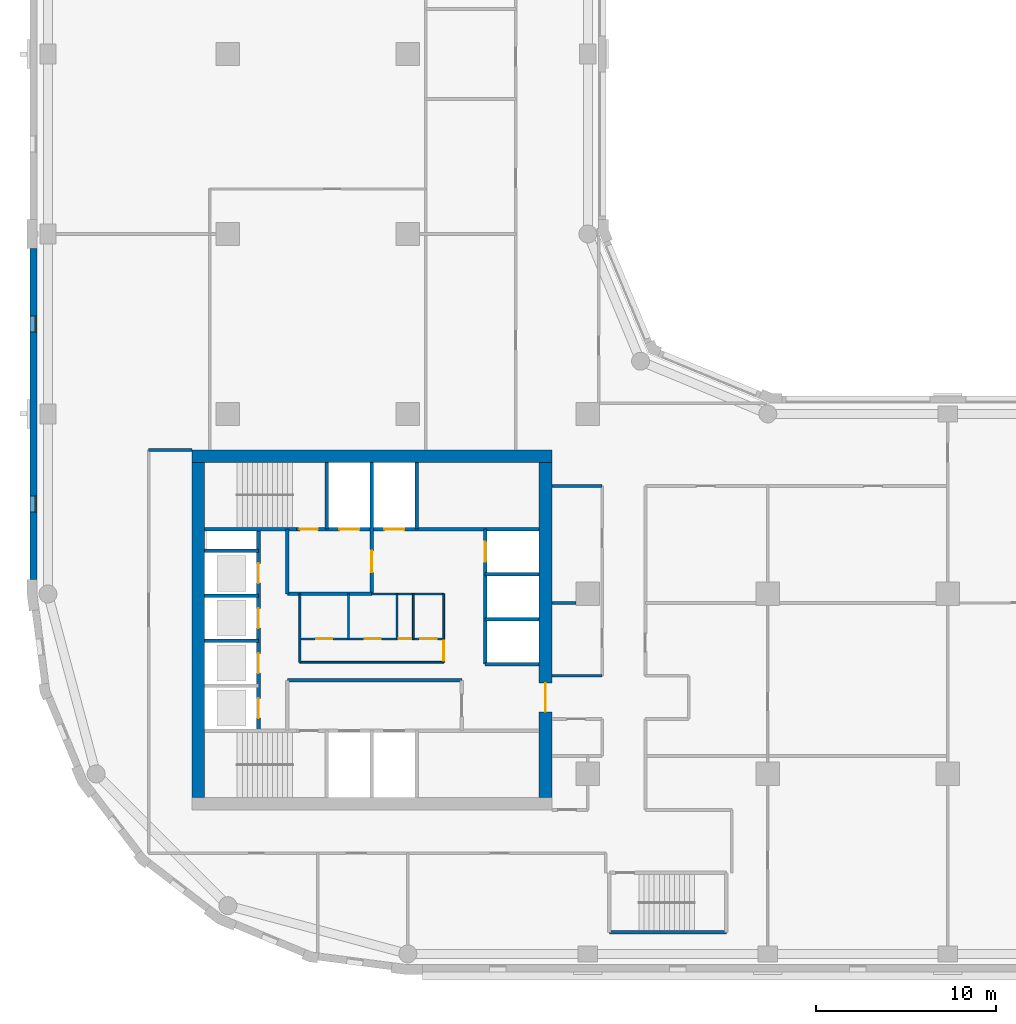
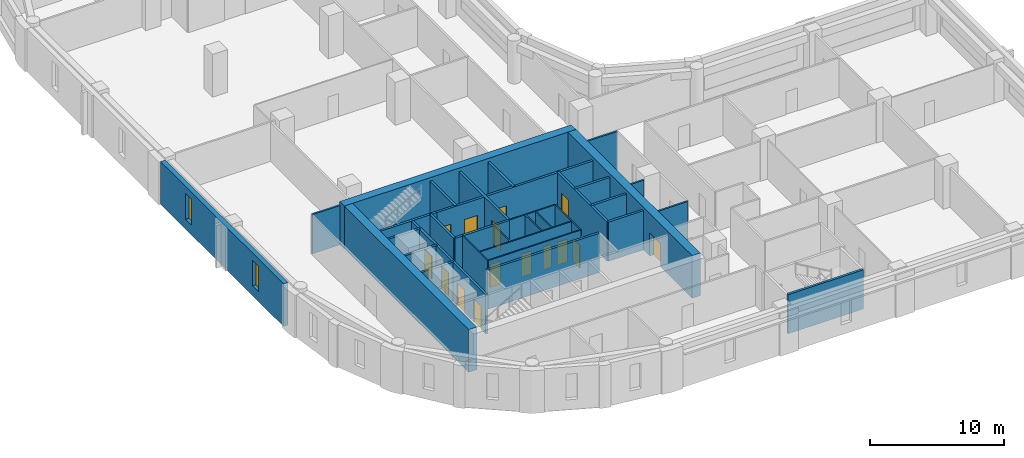
# One storey, part 3 of 9: 33 walls, 15 doors, 2 windows, 17 openings.
"""IFC4 building model written with IfcOpenShell, lengths in metres."""

from ifc_helpers import new_model, si_unit, direction, frame, frame_2d, origin, place, context, subcontext, project, spatial, rectangle, extrude, material, layer, layer_set, type_object, element, fill, save


model = new_model("IFC4")

# Units and contexts
model_context = context("Model", 3, precision=1e-05, world=origin(), true_north=direction((0.0, 1.0)))
body_context = subcontext(model_context, "Body", "Model", "MODEL_VIEW")
ifc_project = project(units=[si_unit("LENGTHUNIT", "METRE"), si_unit("AREAUNIT", "SQUARE_METRE"), si_unit("VOLUMEUNIT", "CUBIC_METRE"), si_unit("PLANEANGLEUNIT", "RADIAN"), si_unit("MASSUNIT", "GRAM", prefix="KILO")], contexts=[model_context])

# Site, building, storey
site_placement = place(None, origin())
site = spatial("IfcSite", under=ifc_project, at=site_placement, CompositionType="ELEMENT")
building_placement = place(site_placement, origin())
building = spatial("IfcBuilding", under=site, at=building_placement, Name="Qaws Garden Tower", CompositionType="ELEMENT")
storey_placement = place(building_placement, frame((0.0, 0.0, 155.10009765625)))
storey = spatial("IfcBuildingStorey", under=building, at=storey_placement, Name="L37", CompositionType="ELEMENT", Elevation=155.10009765625)

# Wall, openings, windows
ifc_material_1 = material(Name="Clay facing brick masonry", Category="masonry")
ifc_layer_1 = layer(ifc_material_1, 0.39990234375)
ifc_layer_set_1 = layer_set([ifc_layer_1], Name="Clay facing brick masonry")
wall_type_1 = type_object("IfcWallType", Name="Brick infill wall 400", PredefinedType="SOLIDWALL", material=ifc_layer_set_1)
wall_1_placement = place(storey_placement, frame((-0.800048828125, 39.199951171875, 0.0), z_axis=(0.0, 0.0, 1.0), x_axis=(0.0, -1.0, 0.0)))
wall_1 = element("IfcWall", 1, at=wall_1_placement, inside=storey, type_object=wall_type_1, Name="E-L37-infill-23", PredefinedType="SOLIDWALL", context=body_context, shape_type="SweptSolid", body=[
    extrude(rectangle(XDim=18.39990234375, YDim=0.39990234375, at=frame_2d((9.199951171875, 0.0))), origin(), (0.0, 0.0, 1.0), 3.89990234375),
])
opening_1_placement = place(wall_1_placement, frame((3.75, 0.0, 0.89990234375)))
opening_1 = element("IfcOpeningElement", 2, at=opening_1_placement, cuts=wall_1, Name="Opening W09", PredefinedType="OPENING", context=body_context, shape_type="SweptSolid", body=[
    extrude(rectangle(XDim=0.89990234375, YDim=2.35009765625, at=frame_2d((0.449951171875, 1.175048828125))), frame((0.0, 0.2099609375, 0.0), z_axis=(0.0, -1.0, 0.0), x_axis=(1.0, 0.0, 0.0)), (0.0, 0.0, 1.0), 0.419921875),
])
opening_2_placement = place(wall_1_placement, frame((13.75, 0.0, 0.89990234375)))
opening_2 = element("IfcOpeningElement", 3, at=opening_2_placement, cuts=wall_1, Name="Opening W09", PredefinedType="OPENING", context=body_context, shape_type="SweptSolid", body=[
    extrude(rectangle(XDim=0.89990234375, YDim=2.35009765625, at=frame_2d((0.449951171875, 1.175048828125))), frame((0.0, 0.2099609375, 0.0), z_axis=(0.0, -1.0, 0.0), x_axis=(1.0, 0.0, 0.0)), (0.0, 0.0, 1.0), 0.419921875),
])
ifc_material_2 = material(Name="Aluminium framed window, clear glazing", Category="aluminium")
window_type = type_object("IfcWindowType", Name="Slit window 900 x 2350", PartitioningType="SINGLE_PANEL", PredefinedType="WINDOW", material=ifc_material_2)
window_1_placement = place(opening_1_placement, origin())
window_1 = element("IfcWindow", 4, at=window_1_placement, inside=storey, type_object=window_type, Name="E-L37-window-23-0", OverallHeight=2.35009765625, OverallWidth=0.89990234375, PartitioningType="SINGLE_PANEL", PredefinedType="WINDOW", context=body_context, shape_type="SweptSolid", body=[
    extrude(rectangle(XDim=0.89990234375, YDim=2.35009765625, at=frame_2d((0.449951171875, 1.175048828125))), frame((0.0, 0.159912109375, 0.0), z_axis=(0.0, -1.0, 0.0), x_axis=(1.0, 0.0, 0.0)), (0.0, 0.0, 1.0), 0.06005859375),
])
fill(opening_1, window_1)
window_2_placement = place(opening_2_placement, origin())
window_2 = element("IfcWindow", 5, at=window_2_placement, inside=storey, type_object=window_type, Name="E-L37-window-24-0", OverallHeight=2.35009765625, OverallWidth=0.89990234375, PartitioningType="SINGLE_PANEL", PredefinedType="WINDOW", context=body_context, shape_type="SweptSolid", body=[
    extrude(rectangle(XDim=0.89990234375, YDim=2.35009765625, at=frame_2d((0.449951171875, 1.175048828125))), frame((0.0, 0.159912109375, 0.0), z_axis=(0.0, -1.0, 0.0), x_axis=(1.0, 0.0, 0.0)), (0.0, 0.0, 1.0), 0.06005859375),
])
fill(opening_2, window_2)

# Wall
ifc_material_3 = material(Name="Plasterboard")
ifc_layer_2 = layer(ifc_material_3, 0.10009765625)
ifc_layer_set_2 = layer_set([ifc_layer_2], Name="Plasterboard")
wall_type_2 = type_object("IfcWallType", Name="Core partition 100", PredefinedType="PARTITIONING", material=ifc_layer_set_2)
wall_2_placement = place(storey_placement, frame((14.0, 16.199951171875, 0.0), z_axis=(0.0, 0.0, 1.0), x_axis=(1.0, 0.0, 0.0)))
element("IfcWall", 6, at=wall_2_placement, inside=storey, type_object=wall_type_2, Name="Core partition", PredefinedType="PARTITIONING", context=body_context, shape_type="SweptSolid", body=[
    extrude(rectangle(XDim=8.0, YDim=0.10009765625, at=frame_2d((4.0, 0.0))), origin(), (0.0, 0.0, 1.0), 3.579833984375),
])

# Wall, openings, doors
wall_3_placement = place(storey_placement, frame((14.0, 17.5, 0.0), z_axis=(0.0, 0.0, 1.0), x_axis=(1.0, 0.0, 0.0)))
wall_3 = element("IfcWall", 7, at=wall_3_placement, inside=storey, type_object=wall_type_2, Name="Core partition", PredefinedType="PARTITIONING", context=body_context, shape_type="SweptSolid", body=[
    extrude(rectangle(XDim=8.0, YDim=0.10009765625, at=frame_2d((4.0, 0.0))), origin(), (0.0, 0.0, 1.0), 3.579833984375),
])
opening_3_placement = place(wall_3_placement, frame((0.89990234375, 0.0, 0.0)))
opening_3 = element("IfcOpeningElement", 8, at=opening_3_placement, cuts=wall_3, Name="Opening WD18", PredefinedType="OPENING", context=body_context, shape_type="SweptSolid", body=[
    extrude(rectangle(XDim=0.89990234375, YDim=2.10009765625, at=frame_2d((0.449951171875, 1.050048828125))), frame((0.0, 0.06005859375, 0.0), z_axis=(0.0, -1.0, 0.0), x_axis=(1.0, 0.0, 0.0)), (0.0, 0.0, 1.0), 0.1201171875),
])
opening_4_placement = place(wall_3_placement, frame((3.60009765625, 0.0, 0.0)))
opening_4 = element("IfcOpeningElement", 9, at=opening_4_placement, cuts=wall_3, Name="Opening WD19", PredefinedType="OPENING", context=body_context, shape_type="SweptSolid", body=[
    extrude(rectangle(XDim=0.89990234375, YDim=2.10009765625, at=frame_2d((0.449951171875, 1.050048828125))), frame((0.0, 0.06005859375, 0.0), z_axis=(0.0, -1.0, 0.0), x_axis=(1.0, 0.0, 0.0)), (0.0, 0.0, 1.0), 0.1201171875),
])
opening_5_placement = place(wall_3_placement, frame((5.5, 0.0, 0.0)))
opening_5 = element("IfcOpeningElement", 10, at=opening_5_placement, cuts=wall_3, Name="Opening XD20", PredefinedType="OPENING", context=body_context, shape_type="SweptSolid", body=[
    extrude(rectangle(XDim=0.699951171875, YDim=2.10009765625, at=frame_2d((0.35009765625, 1.050048828125))), frame((0.0, 0.06005859375, 0.0), z_axis=(0.0, -1.0, 0.0), x_axis=(1.0, 0.0, 0.0)), (0.0, 0.0, 1.0), 0.1201171875),
])
opening_6_placement = place(wall_3_placement, frame((6.699951171875, 0.0, 0.0)))
opening_6 = element("IfcOpeningElement", 11, at=opening_6_placement, cuts=wall_3, Name="Opening WD21", PredefinedType="OPENING", context=body_context, shape_type="SweptSolid", body=[
    extrude(rectangle(XDim=0.89990234375, YDim=2.10009765625, at=frame_2d((0.449951171875, 1.050048828125))), frame((0.0, 0.06005859375, 0.0), z_axis=(0.0, -1.0, 0.0), x_axis=(1.0, 0.0, 0.0)), (0.0, 0.0, 1.0), 0.1201171875),
])
ifc_material_4 = material(Name="Timber", Category="wood")
door_type_1 = type_object("IfcDoorType", Name="Store door 700x2100", OperationType="SINGLE_SWING_LEFT", PredefinedType="DOOR", material=ifc_material_4)
door_1_placement = place(opening_5_placement, origin())
door_1 = element("IfcDoor", 12, at=door_1_placement, inside=storey, type_object=door_type_1, Name="Cleaner's store door", OperationType="SINGLE_SWING_RIGHT", OverallHeight=2.10009765625, OverallWidth=0.699951171875, PredefinedType="DOOR", context=body_context, shape_type="SweptSolid", body=[
    extrude(rectangle(XDim=0.699951171875, YDim=2.10009765625, at=frame_2d((0.35009765625, 1.050048828125))), frame((0.0, 0.02490234375, 0.0), z_axis=(0.0, -1.0, 0.0), x_axis=(1.0, 0.0, 0.0)), (0.0, 0.0, 1.0), 0.050048828125),
])
fill(opening_5, door_1)
ifc_material_5 = material(Name="Timber", Category="wood")
door_type_2 = type_object("IfcDoorType", Name="WC door 900x2100", OperationType="SINGLE_SWING_LEFT", PredefinedType="DOOR", material=ifc_material_5)
door_2_placement = place(opening_3_placement, origin())
door_2 = element("IfcDoor", 13, at=door_2_placement, inside=storey, type_object=door_type_2, Name="Women's WC door", OperationType="SINGLE_SWING_RIGHT", OverallHeight=2.10009765625, OverallWidth=0.89990234375, PredefinedType="DOOR", context=body_context, shape_type="SweptSolid", body=[
    extrude(rectangle(XDim=0.89990234375, YDim=2.10009765625, at=frame_2d((0.449951171875, 1.050048828125))), frame((0.0, 0.02490234375, 0.0), z_axis=(0.0, -1.0, 0.0), x_axis=(1.0, 0.0, 0.0)), (0.0, 0.0, 1.0), 0.050048828125),
])
fill(opening_3, door_2)
door_3_placement = place(opening_4_placement, origin())
door_3 = element("IfcDoor", 14, at=door_3_placement, inside=storey, type_object=door_type_2, Name="Men's WC door", OperationType="SINGLE_SWING_RIGHT", OverallHeight=2.10009765625, OverallWidth=0.89990234375, PredefinedType="DOOR", context=body_context, shape_type="SweptSolid", body=[
    extrude(rectangle(XDim=0.89990234375, YDim=2.10009765625, at=frame_2d((0.449951171875, 1.050048828125))), frame((0.0, 0.02490234375, 0.0), z_axis=(0.0, -1.0, 0.0), x_axis=(1.0, 0.0, 0.0)), (0.0, 0.0, 1.0), 0.050048828125),
])
fill(opening_4, door_3)
door_4_placement = place(opening_6_placement, origin())
door_4 = element("IfcDoor", 15, at=door_4_placement, inside=storey, type_object=door_type_2, Name="Accessible WC door", OperationType="SINGLE_SWING_RIGHT", OverallHeight=2.10009765625, OverallWidth=0.89990234375, PredefinedType="DOOR", context=body_context, shape_type="SweptSolid", body=[
    extrude(rectangle(XDim=0.89990234375, YDim=2.10009765625, at=frame_2d((0.449951171875, 1.050048828125))), frame((0.0, 0.02490234375, 0.0), z_axis=(0.0, -1.0, 0.0), x_axis=(1.0, 0.0, 0.0)), (0.0, 0.0, 1.0), 0.050048828125),
])
fill(opening_6, door_4)

# Walls
wall_4_placement = place(storey_placement, frame((18.0, 20.0, 0.0), z_axis=(0.0, 0.0, 1.0), x_axis=(1.0, 0.0, 0.0)))
element("IfcWall", 16, at=wall_4_placement, inside=storey, type_object=wall_type_2, Name="Core partition", PredefinedType="PARTITIONING", context=body_context, shape_type="SweptSolid", body=[
    extrude(rectangle(XDim=4.0, YDim=0.10009765625, at=frame_2d((2.0, 0.0))), origin(), (0.0, 0.0, 1.0), 3.579833984375),
])
wall_5_placement = place(storey_placement, frame((14.0, 16.199951171875, 0.0), z_axis=(0.0, 0.0, 1.0), x_axis=(0.0, 1.0, 0.0)))
element("IfcWall", 17, at=wall_5_placement, inside=storey, type_object=wall_type_2, Name="Core partition", PredefinedType="PARTITIONING", context=body_context, shape_type="SweptSolid", body=[
    extrude(rectangle(XDim=3.800048828125, YDim=0.10009765625, at=frame_2d((1.89990234375, 0.0))), origin(), (0.0, 0.0, 1.0), 3.579833984375),
])
for number, where, z_axis, x_axis, name in (
    (18, (16.699951171875, 17.5, 0.0), (0.0, 0.0, 1.0), (0.0, 1.0, 0.0), "Core partition"),
    (19, (19.39990234375, 17.5, 0.0), (0.0, 0.0, 1.0), (0.0, 1.0, 0.0), "Core partition"),
    (20, (20.300048828125, 17.5, 0.0), (0.0, 0.0, 1.0), (0.0, 1.0, 0.0), "Core partition"),
):
    element("IfcWall", number, at=place(storey_placement, frame(where, z_axis=z_axis, x_axis=x_axis)), inside=storey, type_object=wall_type_2, Name=name, PredefinedType="PARTITIONING", context=body_context, shape_type="SweptSolid", body=[
        extrude(rectangle(XDim=2.5, YDim=0.10009765625, at=frame_2d((1.25, 0.0))), origin(), (0.0, 0.0, 1.0), 3.579833984375),
    ])

# Wall, opening, door
wall_6_placement = place(storey_placement, frame((22.0, 16.199951171875, 0.0), z_axis=(0.0, 0.0, 1.0), x_axis=(0.0, 1.0, 0.0)))
wall_6 = element("IfcWall", 21, at=wall_6_placement, inside=storey, type_object=wall_type_2, Name="Core partition", PredefinedType="PARTITIONING", context=body_context, shape_type="SweptSolid", body=[
    extrude(rectangle(XDim=3.800048828125, YDim=0.10009765625, at=frame_2d((1.89990234375, 0.0))), origin(), (0.0, 0.0, 1.0), 3.579833984375),
])
opening_7_placement = place(wall_6_placement, frame((0.10009765625, 0.0, 0.0)))
opening_7 = element("IfcOpeningElement", 22, at=opening_7_placement, cuts=wall_6, Name="Opening WL17", PredefinedType="OPENING", context=body_context, shape_type="SweptSolid", body=[
    extrude(rectangle(XDim=1.10009765625, YDim=2.10009765625, at=frame_2d((0.550048828125, 1.050048828125))), frame((0.0, 0.06005859375, 0.0), z_axis=(0.0, -1.0, 0.0), x_axis=(1.0, 0.0, 0.0)), (0.0, 0.0, 1.0), 0.1201171875),
])
ifc_material_6 = material(Name="Timber", Category="wood")
door_type_3 = type_object("IfcDoorType", Name="WC lobby door 1100x2100", OperationType="SINGLE_SWING_LEFT", PredefinedType="DOOR", material=ifc_material_6)
door_5_placement = place(opening_7_placement, origin())
door_5 = element("IfcDoor", 23, at=door_5_placement, inside=storey, type_object=door_type_3, Name="WC lobby door", OperationType="SINGLE_SWING_RIGHT", OverallHeight=2.10009765625, OverallWidth=1.10009765625, PredefinedType="DOOR", context=body_context, shape_type="SweptSolid", body=[
    extrude(rectangle(XDim=1.10009765625, YDim=2.10009765625, at=frame_2d((0.550048828125, 1.050048828125))), frame((0.0, 0.02490234375, 0.0), z_axis=(0.0, -1.0, 0.0), x_axis=(1.0, 0.0, 0.0)), (0.0, 0.0, 1.0), 0.050048828125),
])
fill(opening_7, door_5)

# Walls
ifc_material_7 = material(Name="Concrete C70", Category="concrete")
ifc_layer_3 = layer(ifc_material_7, 0.199951171875)
ifc_layer_set_3 = layer_set([ifc_layer_3], Name="Concrete C70")
wall_type_3 = type_object("IfcWallType", Name="Core shaft wall 200 C70", PredefinedType="SHEAR", material=ifc_layer_set_3)
wall_7_placement = place(storey_placement, frame((31.199951171875, 1.199951171875, 0.0), z_axis=(0.0, 0.0, 1.0), x_axis=(1.0, 0.0, 0.0)))
element("IfcWall", 24, at=wall_7_placement, inside=storey, type_object=wall_type_3, Name="Shaft wall", PredefinedType="SHEAR", context=body_context, shape_type="SweptSolid", body=[
    extrude(rectangle(XDim=6.5, YDim=0.199951171875, at=frame_2d((3.25, 0.0))), origin(), (0.0, 0.0, 1.0), 3.579833984375),
])
wall_8_placement = place(storey_placement, frame((13.300048828125, 15.199951171875, 0.0), z_axis=(0.0, 0.0, 1.0), x_axis=(1.0, 0.0, 0.0)))
element("IfcWall", 25, at=wall_8_placement, inside=storey, type_object=wall_type_3, Name="Shaft wall", PredefinedType="SHEAR", context=body_context, shape_type="SweptSolid", body=[
    extrude(rectangle(XDim=9.699951171875, YDim=0.199951171875, at=frame_2d((4.85009765625, 0.0))), origin(), (0.0, 0.0, 1.0), 3.579833984375),
])
for number, where, z_axis, x_axis, name in (
    (26, (24.300048828125, 16.10009765625, 0.0), (0.0, 0.0, 1.0), (1.0, 0.0, 0.0), "Shaft wall"),
    (27, (8.699951171875, 17.39990234375, 0.0), (0.0, 0.0, 1.0), (1.0, 0.0, 0.0), "Shaft wall"),
    (28, (24.300048828125, 18.60009765625, 0.0), (0.0, 0.0, 1.0), (1.0, 0.0, 0.0), "Shaft wall"),
    (29, (8.699951171875, 19.89990234375, 0.0), (0.0, 0.0, 1.0), (1.0, 0.0, 0.0), "Shaft wall"),
):
    element("IfcWall", number, at=place(storey_placement, frame(where, z_axis=z_axis, x_axis=x_axis)), inside=storey, type_object=wall_type_3, Name=name, PredefinedType="SHEAR", context=body_context, shape_type="SweptSolid", body=[
        extrude(rectangle(XDim=3.0, YDim=0.199951171875, at=frame_2d((1.5, 0.0))), origin(), (0.0, 0.0, 1.0), 3.579833984375),
    ])
wall_9_placement = place(storey_placement, frame((13.300048828125, 20.0, 0.0), z_axis=(0.0, 0.0, 1.0), x_axis=(1.0, 0.0, 0.0)))
element("IfcWall", 30, at=wall_9_placement, inside=storey, type_object=wall_type_3, Name="Shaft wall", PredefinedType="SHEAR", context=body_context, shape_type="SweptSolid", body=[
    extrude(rectangle(XDim=4.699951171875, YDim=0.199951171875, at=frame_2d((2.35009765625, 0.0))), origin(), (0.0, 0.0, 1.0), 3.579833984375),
])
for number, where, z_axis, x_axis, name in (
    (31, (24.300048828125, 21.10009765625, 0.0), (0.0, 0.0, 1.0), (1.0, 0.0, 0.0), "Shaft wall"),
    (32, (8.699951171875, 22.39990234375, 0.0), (0.0, 0.0, 1.0), (1.0, 0.0, 0.0), "Shaft wall"),
):
    element("IfcWall", number, at=place(storey_placement, frame(where, z_axis=z_axis, x_axis=x_axis)), inside=storey, type_object=wall_type_3, Name=name, PredefinedType="SHEAR", context=body_context, shape_type="SweptSolid", body=[
        extrude(rectangle(XDim=3.0, YDim=0.199951171875, at=frame_2d((1.5, 0.0))), origin(), (0.0, 0.0, 1.0), 3.579833984375),
    ])
wall_10_placement = place(storey_placement, frame((8.699951171875, 23.60009765625, 0.0), z_axis=(0.0, 0.0, 1.0), x_axis=(1.0, 0.0, 0.0)))
element("IfcWall", 33, at=wall_10_placement, inside=storey, type_object=wall_type_3, Name="Shaft wall", PredefinedType="SHEAR", context=body_context, shape_type="SweptSolid", body=[
    extrude(rectangle(XDim=5.10009765625, YDim=0.199951171875, at=frame_2d((2.550048828125, 0.0))), origin(), (0.0, 0.0, 1.0), 3.579833984375),
])

# Wall, openings, doors
wall_11_placement = place(storey_placement, frame((13.800048828125, 23.60009765625, 0.0), z_axis=(0.0, 0.0, 1.0), x_axis=(1.0, 0.0, 0.0)))
wall_11 = element("IfcWall", 34, at=wall_11_placement, inside=storey, type_object=wall_type_3, Name="Shaft wall", PredefinedType="SHEAR", context=body_context, shape_type="SweptSolid", body=[
    extrude(rectangle(XDim=13.5, YDim=0.199951171875, at=frame_2d((6.75, 0.0))), origin(), (0.0, 0.0, 1.0), 3.579833984375),
])
opening_8_placement = place(wall_11_placement, frame((2.39990234375, 0.0, 0.0)))
opening_8 = element("IfcOpeningElement", 35, at=opening_8_placement, cuts=wall_11, Name="Opening LD08", PredefinedType="OPENING", context=body_context, shape_type="SweptSolid", body=[
    extrude(rectangle(XDim=1.10009765625, YDim=2.10009765625, at=frame_2d((0.550048828125, 1.050048828125))), frame((0.0, 0.10986328125, 0.0), z_axis=(0.0, -1.0, 0.0), x_axis=(1.0, 0.0, 0.0)), (0.0, 0.0, 1.0), 0.219970703125),
])
opening_9_placement = place(wall_11_placement, frame((4.89990234375, 0.0, 0.0)))
opening_9 = element("IfcOpeningElement", 36, at=opening_9_placement, cuts=wall_11, Name="Opening LD09", PredefinedType="OPENING", context=body_context, shape_type="SweptSolid", body=[
    extrude(rectangle(XDim=1.10009765625, YDim=2.10009765625, at=frame_2d((0.550048828125, 1.050048828125))), frame((0.0, 0.10986328125, 0.0), z_axis=(0.0, -1.0, 0.0), x_axis=(1.0, 0.0, 0.0)), (0.0, 0.0, 1.0), 0.219970703125),
])
opening_10_placement = place(wall_11_placement, frame((0.199951171875, 0.0, 0.0)))
opening_10 = element("IfcOpeningElement", 37, at=opening_10_placement, cuts=wall_11, Name="Opening SD11", PredefinedType="OPENING", context=body_context, shape_type="SweptSolid", body=[
    extrude(rectangle(XDim=1.0, YDim=2.10009765625, at=frame_2d((0.5, 1.050048828125))), frame((0.0, 0.10986328125, 0.0), z_axis=(0.0, -1.0, 0.0), x_axis=(1.0, 0.0, 0.0)), (0.0, 0.0, 1.0), 0.219970703125),
])
ifc_material_8 = material(Name="Steel S235", Category="steel")
door_type_4 = type_object("IfcDoorType", Name="Landing door 1100x2100", OperationType="DOUBLE_DOOR_SLIDING", PredefinedType="DOOR", material=ifc_material_8)
door_6_placement = place(opening_8_placement, origin())
door_6 = element("IfcDoor", 38, at=door_6_placement, inside=storey, type_object=door_type_4, Name="Lift FF3 landing door", OperationType="DOUBLE_DOOR_SLIDING", OverallHeight=2.10009765625, OverallWidth=1.10009765625, PredefinedType="DOOR", context=body_context, shape_type="SweptSolid", body=[
    extrude(rectangle(XDim=1.10009765625, YDim=2.10009765625, at=frame_2d((0.550048828125, 1.050048828125))), frame((0.0, 0.02490234375, 0.0), z_axis=(0.0, -1.0, 0.0), x_axis=(1.0, 0.0, 0.0)), (0.0, 0.0, 1.0), 0.050048828125),
])
fill(opening_8, door_6)
door_7_placement = place(opening_9_placement, origin())
door_7 = element("IfcDoor", 39, at=door_7_placement, inside=storey, type_object=door_type_4, Name="Lift SV2 landing door", OperationType="DOUBLE_DOOR_SLIDING", OverallHeight=2.10009765625, OverallWidth=1.10009765625, PredefinedType="DOOR", context=body_context, shape_type="SweptSolid", body=[
    extrude(rectangle(XDim=1.10009765625, YDim=2.10009765625, at=frame_2d((0.550048828125, 1.050048828125))), frame((0.0, 0.02490234375, 0.0), z_axis=(0.0, -1.0, 0.0), x_axis=(1.0, 0.0, 0.0)), (0.0, 0.0, 1.0), 0.050048828125),
])
fill(opening_9, door_7)
ifc_material_9 = material(Name="Steel S235", Category="steel")
door_type_5 = type_object("IfcDoorType", Name="Stair door 1000x2100", OperationType="SINGLE_SWING_RIGHT", PredefinedType="DOOR", material=ifc_material_9)
door_8_placement = place(opening_10_placement, origin())
door_8 = element("IfcDoor", 40, at=door_8_placement, inside=storey, type_object=door_type_5, Name="Stair 4 door", OperationType="SINGLE_SWING_RIGHT", OverallHeight=2.10009765625, OverallWidth=1.0, PredefinedType="DOOR", context=body_context, shape_type="SweptSolid", body=[
    extrude(rectangle(XDim=1.0, YDim=2.10009765625, at=frame_2d((0.5, 1.050048828125))), frame((0.0, 0.02490234375, 0.0), z_axis=(0.0, -1.0, 0.0), x_axis=(1.0, 0.0, 0.0)), (0.0, 0.0, 1.0), 0.050048828125),
])
fill(opening_10, door_8)

wall_12_placement = place(storey_placement, frame((11.699951171875, 12.39990234375, 0.0), z_axis=(0.0, 0.0, 1.0), x_axis=(0.0, 1.0, 0.0)))
wall_12 = element("IfcWall", 41, at=wall_12_placement, inside=storey, type_object=wall_type_3, Name="Shaft wall", PredefinedType="SHEAR", context=body_context, shape_type="SweptSolid", body=[
    extrude(rectangle(XDim=11.2001953125, YDim=0.199951171875, at=frame_2d((5.60009765625, 0.0))), origin(), (0.0, 0.0, 1.0), 3.579833984375),
])
opening_11_placement = place(wall_12_placement, frame((0.699951171875, 0.0, 0.0)))
opening_11 = element("IfcOpeningElement", 42, at=opening_11_placement, cuts=wall_12, Name="Opening LD01", PredefinedType="OPENING", context=body_context, shape_type="SweptSolid", body=[
    extrude(rectangle(XDim=1.10009765625, YDim=2.10009765625, at=frame_2d((0.550048828125, 1.050048828125))), frame((0.0, 0.10986328125, 0.0), z_axis=(0.0, -1.0, 0.0), x_axis=(1.0, 0.0, 0.0)), (0.0, 0.0, 1.0), 0.219970703125),
])
opening_12_placement = place(wall_12_placement, frame((3.199951171875, 0.0, 0.0)))
opening_12 = element("IfcOpeningElement", 43, at=opening_12_placement, cuts=wall_12, Name="Opening LD02", PredefinedType="OPENING", context=body_context, shape_type="SweptSolid", body=[
    extrude(rectangle(XDim=1.10009765625, YDim=2.10009765625, at=frame_2d((0.550048828125, 1.050048828125))), frame((0.0, 0.10986328125, 0.0), z_axis=(0.0, -1.0, 0.0), x_axis=(1.0, 0.0, 0.0)), (0.0, 0.0, 1.0), 0.219970703125),
])
opening_13_placement = place(wall_12_placement, frame((5.699951171875, 0.0, 0.0)))
opening_13 = element("IfcOpeningElement", 44, at=opening_13_placement, cuts=wall_12, Name="Opening LD03", PredefinedType="OPENING", context=body_context, shape_type="SweptSolid", body=[
    extrude(rectangle(XDim=1.10009765625, YDim=2.10009765625, at=frame_2d((0.550048828125, 1.050048828125))), frame((0.0, 0.10986328125, 0.0), z_axis=(0.0, -1.0, 0.0), x_axis=(1.0, 0.0, 0.0)), (0.0, 0.0, 1.0), 0.219970703125),
])
opening_14_placement = place(wall_12_placement, frame((8.199951171875, 0.0, 0.0)))
opening_14 = element("IfcOpeningElement", 45, at=opening_14_placement, cuts=wall_12, Name="Opening LD04", PredefinedType="OPENING", context=body_context, shape_type="SweptSolid", body=[
    extrude(rectangle(XDim=1.10009765625, YDim=2.10009765625, at=frame_2d((0.550048828125, 1.050048828125))), frame((0.0, 0.10986328125, 0.0), z_axis=(0.0, -1.0, 0.0), x_axis=(1.0, 0.0, 0.0)), (0.0, 0.0, 1.0), 0.219970703125),
])
door_9_placement = place(opening_11_placement, origin())
door_9 = element("IfcDoor", 46, at=door_9_placement, inside=storey, type_object=door_type_4, Name="Lift W1 landing door", OperationType="DOUBLE_DOOR_SLIDING", OverallHeight=2.10009765625, OverallWidth=1.10009765625, PredefinedType="DOOR", context=body_context, shape_type="SweptSolid", body=[
    extrude(rectangle(XDim=1.10009765625, YDim=2.10009765625, at=frame_2d((0.550048828125, 1.050048828125))), frame((0.0, 0.02490234375, 0.0), z_axis=(0.0, -1.0, 0.0), x_axis=(1.0, 0.0, 0.0)), (0.0, 0.0, 1.0), 0.050048828125),
])
fill(opening_11, door_9)
door_10_placement = place(opening_12_placement, origin())
door_10 = element("IfcDoor", 47, at=door_10_placement, inside=storey, type_object=door_type_4, Name="Lift W2 landing door", OperationType="DOUBLE_DOOR_SLIDING", OverallHeight=2.10009765625, OverallWidth=1.10009765625, PredefinedType="DOOR", context=body_context, shape_type="SweptSolid", body=[
    extrude(rectangle(XDim=1.10009765625, YDim=2.10009765625, at=frame_2d((0.550048828125, 1.050048828125))), frame((0.0, 0.02490234375, 0.0), z_axis=(0.0, -1.0, 0.0), x_axis=(1.0, 0.0, 0.0)), (0.0, 0.0, 1.0), 0.050048828125),
])
fill(opening_12, door_10)
door_11_placement = place(opening_13_placement, origin())
door_11 = element("IfcDoor", 48, at=door_11_placement, inside=storey, type_object=door_type_4, Name="Lift W3 landing door", OperationType="DOUBLE_DOOR_SLIDING", OverallHeight=2.10009765625, OverallWidth=1.10009765625, PredefinedType="DOOR", context=body_context, shape_type="SweptSolid", body=[
    extrude(rectangle(XDim=1.10009765625, YDim=2.10009765625, at=frame_2d((0.550048828125, 1.050048828125))), frame((0.0, 0.02490234375, 0.0), z_axis=(0.0, -1.0, 0.0), x_axis=(1.0, 0.0, 0.0)), (0.0, 0.0, 1.0), 0.050048828125),
])
fill(opening_13, door_11)
door_12_placement = place(opening_14_placement, origin())
door_12 = element("IfcDoor", 49, at=door_12_placement, inside=storey, type_object=door_type_4, Name="Lift W4 landing door", OperationType="DOUBLE_DOOR_SLIDING", OverallHeight=2.10009765625, OverallWidth=1.10009765625, PredefinedType="DOOR", context=body_context, shape_type="SweptSolid", body=[
    extrude(rectangle(XDim=1.10009765625, YDim=2.10009765625, at=frame_2d((0.550048828125, 1.050048828125))), frame((0.0, 0.02490234375, 0.0), z_axis=(0.0, -1.0, 0.0), x_axis=(1.0, 0.0, 0.0)), (0.0, 0.0, 1.0), 0.050048828125),
])
fill(opening_14, door_12)

# Walls
wall_13_placement = place(storey_placement, frame((13.300048828125, 20.0, 0.0), z_axis=(0.0, 0.0, 1.0), x_axis=(0.0, 1.0, 0.0)))
element("IfcWall", 50, at=wall_13_placement, inside=storey, type_object=wall_type_3, Name="Shaft wall", PredefinedType="SHEAR", context=body_context, shape_type="SweptSolid", body=[
    extrude(rectangle(XDim=3.60009765625, YDim=0.199951171875, at=frame_2d((1.800048828125, 0.0))), origin(), (0.0, 0.0, 1.0), 3.579833984375),
])
wall_14_placement = place(storey_placement, frame((15.5, 23.60009765625, 0.0), z_axis=(0.0, 0.0, 1.0), x_axis=(0.0, 1.0, 0.0)))
element("IfcWall", 51, at=wall_14_placement, inside=storey, type_object=wall_type_3, Name="Shaft wall", PredefinedType="SHEAR", context=body_context, shape_type="SweptSolid", body=[
    extrude(rectangle(XDim=3.699951171875, YDim=0.199951171875, at=frame_2d((1.85009765625, 0.0))), origin(), (0.0, 0.0, 1.0), 3.579833984375),
])

# Wall, opening, door
wall_15_placement = place(storey_placement, frame((18.0, 20.0, 0.0), z_axis=(0.0, 0.0, 1.0), x_axis=(0.0, 1.0, 0.0)))
wall_15 = element("IfcWall", 52, at=wall_15_placement, inside=storey, type_object=wall_type_3, Name="Shaft wall", PredefinedType="SHEAR", context=body_context, shape_type="SweptSolid", body=[
    extrude(rectangle(XDim=7.300048828125, YDim=0.199951171875, at=frame_2d((3.64990234375, 0.0))), origin(), (0.0, 0.0, 1.0), 3.579833984375),
])
opening_15_placement = place(wall_15_placement, frame((1.199951171875, 0.0, 0.0)))
opening_15 = element("IfcOpeningElement", 53, at=opening_15_placement, cuts=wall_15, Name="Opening FD16", PredefinedType="OPENING", context=body_context, shape_type="SweptSolid", body=[
    extrude(rectangle(XDim=1.199951171875, YDim=2.10009765625, at=frame_2d((0.60009765625, 1.050048828125))), frame((0.0, 0.10986328125, 0.0), z_axis=(0.0, -1.0, 0.0), x_axis=(1.0, 0.0, 0.0)), (0.0, 0.0, 1.0), 0.219970703125),
])
ifc_material_10 = material(Name="Steel S235", Category="steel")
door_type_6 = type_object("IfcDoorType", Name="Lobby door 1200x2100", OperationType="DOUBLE_DOOR_SINGLE_SWING", PredefinedType="DOOR", material=ifc_material_10)
door_13_placement = place(opening_15_placement, origin())
door_13 = element("IfcDoor", 54, at=door_13_placement, inside=storey, type_object=door_type_6, Name="Fire-fighting lobby door", OperationType="DOUBLE_DOOR_SINGLE_SWING", OverallHeight=2.10009765625, OverallWidth=1.199951171875, PredefinedType="DOOR", context=body_context, shape_type="SweptSolid", body=[
    extrude(rectangle(XDim=1.199951171875, YDim=2.10009765625, at=frame_2d((0.60009765625, 1.050048828125))), frame((0.0, 0.02490234375, 0.0), z_axis=(0.0, -1.0, 0.0), x_axis=(1.0, 0.0, 0.0)), (0.0, 0.0, 1.0), 0.050048828125),
])
fill(opening_15, door_13)

# Wall
wall_16_placement = place(storey_placement, frame((20.5, 23.60009765625, 0.0), z_axis=(0.0, 0.0, 1.0), x_axis=(0.0, 1.0, 0.0)))
element("IfcWall", 55, at=wall_16_placement, inside=storey, type_object=wall_type_3, Name="Shaft wall", PredefinedType="SHEAR", context=body_context, shape_type="SweptSolid", body=[
    extrude(rectangle(XDim=3.699951171875, YDim=0.199951171875, at=frame_2d((1.85009765625, 0.0))), origin(), (0.0, 0.0, 1.0), 3.579833984375),
])

# Wall, opening, door
wall_17_placement = place(storey_placement, frame((24.300048828125, 16.10009765625, 0.0), z_axis=(0.0, 0.0, 1.0), x_axis=(0.0, 1.0, 0.0)))
wall_17 = element("IfcWall", 56, at=wall_17_placement, inside=storey, type_object=wall_type_3, Name="Shaft wall", PredefinedType="SHEAR", context=body_context, shape_type="SweptSolid", body=[
    extrude(rectangle(XDim=7.5, YDim=0.199951171875, at=frame_2d((3.75, 0.0))), origin(), (0.0, 0.0, 1.0), 3.579833984375),
])
opening_16_placement = place(wall_17_placement, frame((5.699951171875, 0.0, 0.0)))
opening_16 = element("IfcOpeningElement", 57, at=opening_16_placement, cuts=wall_17, Name="Opening LD05", PredefinedType="OPENING", context=body_context, shape_type="SweptSolid", body=[
    extrude(rectangle(XDim=1.10009765625, YDim=2.10009765625, at=frame_2d((0.550048828125, 1.050048828125))), frame((0.0, 0.10986328125, 0.0), z_axis=(0.0, -1.0, 0.0), x_axis=(1.0, 0.0, 0.0)), (0.0, 0.0, 1.0), 0.219970703125),
])
door_14_placement = place(opening_16_placement, origin())
door_14 = element("IfcDoor", 58, at=door_14_placement, inside=storey, type_object=door_type_4, Name="Lift E3 landing door", OperationType="DOUBLE_DOOR_SLIDING", OverallHeight=2.10009765625, OverallWidth=1.10009765625, PredefinedType="DOOR", context=body_context, shape_type="SweptSolid", body=[
    extrude(rectangle(XDim=1.10009765625, YDim=2.10009765625, at=frame_2d((0.550048828125, 1.050048828125))), frame((0.0, 0.02490234375, 0.0), z_axis=(0.0, -1.0, 0.0), x_axis=(1.0, 0.0, 0.0)), (0.0, 0.0, 1.0), 0.050048828125),
])
fill(opening_16, door_14)

ifc_material_11 = material(Name="Concrete C70", Category="concrete")
ifc_layer_4 = layer(ifc_material_11, 0.699951171875)
ifc_layer_set_4 = layer_set([ifc_layer_4], Name="Concrete C70")
wall_type_4 = type_object("IfcWallType", Name="Core wall 700 C70", PredefinedType="SHEAR", material=ifc_layer_set_4)
wall_18_placement = place(storey_placement, frame((27.64990234375, 8.699951171875, 0.0), z_axis=(0.0, 0.0, 1.0), x_axis=(0.0, 1.0, 0.0)))
wall_18 = element("IfcWall", 59, at=wall_18_placement, inside=storey, type_object=wall_type_4, Name="Core wall L37 east", PredefinedType="SHEAR", context=body_context, shape_type="SweptSolid", body=[
    extrude(rectangle(XDim=18.60009765625, YDim=0.699951171875, at=frame_2d((9.300048828125, 0.0))), origin(), (0.0, 0.0, 1.0), 3.89990234375),
])
opening_17_placement = place(wall_18_placement, frame((4.75, 0.0, 0.0)))
opening_17 = element("IfcOpeningElement", 60, at=opening_17_placement, cuts=wall_18, Name="Opening ED22", PredefinedType="OPENING", context=body_context, shape_type="SweptSolid", body=[
    extrude(rectangle(XDim=1.60009765625, YDim=2.10009765625, at=frame_2d((0.800048828125, 1.050048828125))), frame((0.0, 0.35986328125, 0.0), z_axis=(0.0, -1.0, 0.0), x_axis=(1.0, 0.0, 0.0)), (0.0, 0.0, 1.0), 0.719970703125),
])
ifc_material_12 = material(Name="Steel S235", Category="steel")
door_type_7 = type_object("IfcDoorType", Name="Core entrance door 1600x2100", OperationType="DOUBLE_DOOR_SINGLE_SWING", PredefinedType="DOOR", material=ifc_material_12)
door_15_placement = place(opening_17_placement, origin())
door_15 = element("IfcDoor", 61, at=door_15_placement, inside=storey, type_object=door_type_7, Name="Core entrance door", OperationType="DOUBLE_DOOR_SINGLE_SWING", OverallHeight=2.10009765625, OverallWidth=1.60009765625, PredefinedType="DOOR", context=body_context, shape_type="SweptSolid", body=[
    extrude(rectangle(XDim=1.60009765625, YDim=2.10009765625, at=frame_2d((0.800048828125, 1.050048828125))), frame((0.0, 0.02490234375, 0.0), z_axis=(0.0, -1.0, 0.0), x_axis=(1.0, 0.0, 0.0)), (0.0, 0.0, 1.0), 0.050048828125),
])
fill(opening_17, door_15)

# Walls
wall_19_placement = place(storey_placement, frame((28.0, 27.64990234375, 0.0), z_axis=(0.0, 0.0, 1.0), x_axis=(-1.0, 0.0, 0.0)))
element("IfcWall", 62, at=wall_19_placement, inside=storey, type_object=wall_type_4, Name="Core wall L37 north", PredefinedType="SHEAR", context=body_context, shape_type="SweptSolid", body=[
    extrude(rectangle(XDim=20.0, YDim=0.699951171875, at=frame_2d((10.0, 0.0))), origin(), (0.0, 0.0, 1.0), 3.89990234375),
])
wall_20_placement = place(storey_placement, frame((8.35009765625, 27.300048828125, 0.0), z_axis=(0.0, 0.0, 1.0), x_axis=(0.0, -1.0, 0.0)))
element("IfcWall", 63, at=wall_20_placement, inside=storey, type_object=wall_type_4, Name="Core wall L37 west", PredefinedType="SHEAR", context=body_context, shape_type="SweptSolid", body=[
    extrude(rectangle(XDim=18.60009765625, YDim=0.699951171875, at=frame_2d((9.300048828125, 0.0))), origin(), (0.0, 0.0, 1.0), 3.89990234375),
])
ifc_material_13 = material(Name="Gypsum board partition")
ifc_layer_5 = layer(ifc_material_13, 0.14990234375)
ifc_layer_set_5 = layer_set([ifc_layer_5], Name="Gypsum board partition")
wall_type_5 = type_object("IfcWallType", Name="PARTITION 150 EI 60", PredefinedType="PARTITIONING", material=ifc_layer_set_5)
wall_21_placement = place(storey_placement, frame((28.0, 15.449951171875, 0.0), z_axis=(0.0, 0.0, 1.0), x_axis=(1.0, 0.0, 0.0)))
element("IfcWall", 64, at=wall_21_placement, inside=storey, type_object=wall_type_5, Name="O-L37-wall-037", PredefinedType="PARTITIONING", context=body_context, shape_type="SweptSolid", body=[
    extrude(rectangle(XDim=2.800048828125, YDim=0.14990234375, at=frame_2d((1.39990234375, 0.0))), origin(), (0.0, 0.0, 1.0), 3.579833984375),
])
wall_22_placement = place(storey_placement, frame((28.0, 19.5, 0.0), z_axis=(0.0, 0.0, 1.0), x_axis=(1.0, 0.0, 0.0)))
element("IfcWall", 65, at=wall_22_placement, inside=storey, type_object=wall_type_5, Name="O-L37-wall-039", PredefinedType="PARTITIONING", context=body_context, shape_type="SweptSolid", body=[
    extrude(rectangle(XDim=1.35009765625, YDim=0.14990234375, at=frame_2d((0.675048828125, 0.0))), origin(), (0.0, 0.0, 1.0), 3.579833984375),
])
wall_23_placement = place(storey_placement, frame((28.0, 26.0, 0.0), z_axis=(0.0, 0.0, 1.0), x_axis=(1.0, 0.0, 0.0)))
element("IfcWall", 66, at=wall_23_placement, inside=storey, type_object=wall_type_5, Name="O-L37-wall-042", PredefinedType="PARTITIONING", context=body_context, shape_type="SweptSolid", body=[
    extrude(rectangle(XDim=2.800048828125, YDim=0.14990234375, at=frame_2d((1.39990234375, 0.0))), origin(), (0.0, 0.0, 1.0), 3.579833984375),
])
wall_24_placement = place(storey_placement, frame((5.60009765625, 28.0, 0.0), z_axis=(0.0, 0.0, 1.0), x_axis=(1.0, 0.0, 0.0)))
element("IfcWall", 67, at=wall_24_placement, inside=storey, type_object=wall_type_5, Name="O-L37-wall-044", PredefinedType="PARTITIONING", context=body_context, shape_type="SweptSolid", body=[
    extrude(rectangle(XDim=2.39990234375, YDim=0.14990234375, at=frame_2d((1.199951171875, 0.0))), origin(), (0.0, 0.0, 1.0), 3.579833984375),
])

save(model, "model.ifc")
